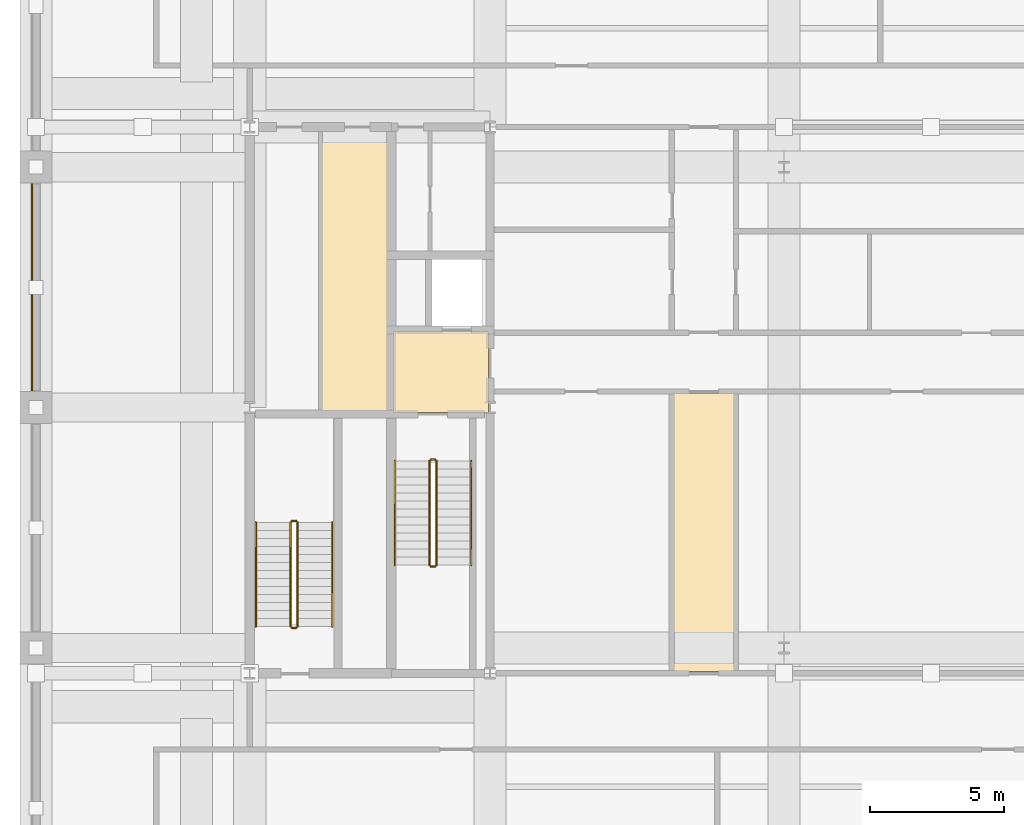
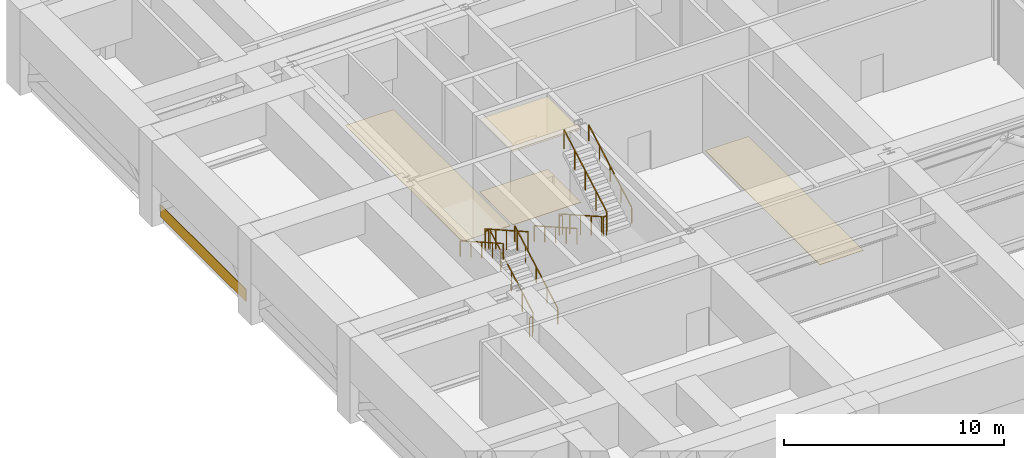
# One storey, part 8 of 10: 12 railings, 5 coverings.
"""IFC4 building model written with IfcOpenShell, lengths in metres."""

from ifc_helpers import new_model, si_unit, direction, frame, frame_2d, origin, origin_2d, place, context, subcontext, project, spatial, polyline, rectangle, outline, extrude, material, layer, layer_set, type_object, element, save


model = new_model("IFC4")

# Units and contexts
model_context = context("Model", 3, precision=1e-05, world=origin(), true_north=direction((0.0, 1.0)))
body_context = subcontext(model_context, "Body", "Model", "MODEL_VIEW")
ifc_project = project(units=[si_unit("LENGTHUNIT", "METRE"), si_unit("AREAUNIT", "SQUARE_METRE"), si_unit("VOLUMEUNIT", "CUBIC_METRE"), si_unit("PLANEANGLEUNIT", "RADIAN"), si_unit("MASSUNIT", "GRAM", prefix="KILO")], contexts=[model_context])

# Site, building, storey
site_placement = place(None, origin())
site = spatial("IfcSite", under=ifc_project, at=site_placement, CompositionType="ELEMENT")
building_placement = place(site_placement, origin())
building = spatial("IfcBuilding", under=site, at=building_placement, Name="Zulmaris Gate Convention Tower", CompositionType="ELEMENT")
storey_placement = place(building_placement, frame((0.0, 0.0, 153.47998046875)))
storey = spatial("IfcBuildingStorey", under=building, at=storey_placement, Name="L39", CompositionType="ELEMENT", Elevation=153.47998046875)

# Coverings
ifc_material_1 = material(Name="Precast concrete C40/50", Category="concrete")
ifc_layer_1 = layer(ifc_material_1, 0.0400390625, Name="Precast concrete C40/50")
ifc_layer_set_1 = layer_set([ifc_layer_1], Name="Precast concrete C40/50")
covering_type_1 = type_object("IfcCoveringType", Name="CLAD-SPANDREL-PRECAST", PredefinedType="CLADDING", material=ifc_layer_set_1)
covering_1_placement = place(storey_placement, frame((-28.14990234375, 8.3701171875, 0.0), z_axis=(0.0, 0.0, 1.0), x_axis=(0.0, -1.0, 0.0)))
element("IfcCovering", 1, at=covering_1_placement, inside=storey, type_object=covering_type_1, Name="CLD-L39-W-2_0", PredefinedType="CLADDING", context=body_context, shape_type="SweptSolid", body=[
    extrude(rectangle(XDim=7.740234375, YDim=0.0400390625, at=frame_2d((3.8701171875, 0.0))), origin(), (0.0, 0.0, 1.0), 0.679931640625),
])
ifc_material_2 = material(Name="Mineral Fibre Acoustic Ceiling Tile")
ifc_layer_2 = layer(ifc_material_2, 0.02001953125, Name="Mineral Fibre Acoustic Ceiling Tile")
ifc_layer_set_2 = layer_set([ifc_layer_2], Name="Mineral Fibre Acoustic Ceiling Tile")
covering_type_2 = type_object("IfcCoveringType", Name="CLG-ACOUSTIC-600", PredefinedType="CEILING", material=ifc_layer_set_2)
covering_2_placement = place(storey_placement, frame((0.0, 0.0, 4.0546875)))
element("IfcCovering", 2, at=covering_2_placement, inside=storey, type_object=covering_type_2, Name="CLG-L39-R03", PredefinedType="CEILING", context=body_context, shape_type="SweptSolid", body=[
    extrude(outline(polyline([(-14.639892578125, -0.18994140625), (-11.06005859375, -0.18994140625), (-11.06005859375, 2.840087890625), (-14.639892578125, 2.840087890625), (-14.639892578125, -0.18994140625)])), origin(), (0.0, 0.0, 1.0), 0.02001953125),
])
ifc_material_3 = material(Name="Woven Acoustic Wool Carpet Tile")
ifc_layer_3 = layer(ifc_material_3, 0.02001953125, Name="Woven Acoustic Wool Carpet Tile")
ifc_layer_set_3 = layer_set([ifc_layer_3], Name="Woven Acoustic Wool Carpet Tile")
covering_type_3 = type_object("IfcCoveringType", Name="FLR-CARPET-12", PredefinedType="FLOORING", material=ifc_layer_set_3)
covering_3_placement = place(storey_placement, origin())
element("IfcCovering", 3, at=covering_3_placement, inside=storey, type_object=covering_type_3, Name="FLR-L39-R03", PredefinedType="FLOORING", context=body_context, shape_type="SweptSolid", body=[
    extrude(outline(polyline([(-14.639892578125, -0.18994140625), (-11.06005859375, -0.18994140625), (-11.06005859375, 2.840087890625), (-14.639892578125, 2.840087890625), (-14.639892578125, -0.18994140625)])), origin(), (0.0, 0.0, 1.0), 0.02001953125),
])
covering_4_placement = place(storey_placement, origin())
element("IfcCovering", 4, at=covering_4_placement, inside=storey, type_object=covering_type_3, Name="FLR-L39-R17", PredefinedType="FLOORING", context=body_context, shape_type="SweptSolid", body=[
    extrude(outline(polyline([(-17.2900390625, -0.18994140625), (-14.760009765625, -0.18994140625), (-14.760009765625, 10.43994140625), (-17.2900390625, 10.43994140625), (-17.2900390625, -0.18994140625)])), origin(), (0.0, 0.0, 1.0), 0.02001953125),
])
covering_5_placement = place(storey_placement, origin())
element("IfcCovering", 5, at=covering_5_placement, inside=storey, type_object=covering_type_3, Name="FLR-L39-R24", PredefinedType="FLOORING", context=body_context, shape_type="SweptSolid", body=[
    extrude(outline(polyline([(-4.139892578125, -9.889892578125), (-1.860107421875, -9.889892578125), (-1.860107421875, 0.5400390625), (-4.139892578125, 0.5400390625), (-4.139892578125, -9.889892578125)])), origin(), (0.0, 0.0, 1.0), 0.02001953125),
])

# Railings
ifc_material_4 = material(Name="Painted Galvanised Steel", Category="steel")
railing_type_1 = type_object("IfcRailingType", Name="RL-STG-1150", PredefinedType="GUARDRAIL", material=ifc_material_4)
railing_1_placement = place(storey_placement, frame((-13.27001953125, -2.0, 0.169921875)))
element("IfcRailing", 6, at=railing_1_placement, inside=storey, type_object=railing_type_1, Name="L39 ST-1 stair guard 1", PredefinedType="GUARDRAIL", context=body_context, shape_type="SweptSolid", body=[
    extrude(rectangle(XDim=0.048095703125, YDim=0.048095703125, at=origin_2d()), frame((0.0, 0.0, 1.076171875), z_axis=(0.0, -0.870020628399, 0.493015320412), x_axis=(1.0, 0.0, 0.0)), (0.0, 0.0, 1.0), 4.482421875),
    extrude(rectangle(XDim=0.0419921875, YDim=0.0419921875, at=origin_2d()), origin(), (0.0, 0.0, 1.0), 1.052001953125),
    extrude(rectangle(XDim=0.0419921875, YDim=0.0419921875, at=origin_2d()), frame((0.0, -0.97509765625, 0.552490234375)), (0.0, 0.0, 1.0), 1.052001953125),
    extrude(rectangle(XDim=0.0419921875, YDim=0.0419921875, at=origin_2d()), frame((0.0, -1.949951171875, 1.10498046875)), (0.0, 0.0, 1.0), 1.052001953125),
    extrude(rectangle(XDim=0.0419921875, YDim=0.0419921875, at=origin_2d()), frame((0.0, -2.9248046875, 1.657470703125)), (0.0, 0.0, 1.0), 1.052001953125),
    extrude(rectangle(XDim=0.0419921875, YDim=0.0419921875, at=origin_2d()), frame((0.0, -3.89990234375, 2.2099609375)), (0.0, 0.0, 1.0), 1.052001953125),
])
railing_2_placement = place(storey_placement, frame((-13.219970703125, -5.949951171875, 2.3798828125)))
element("IfcRailing", 7, at=railing_2_placement, inside=storey, type_object=railing_type_1, Name="L39 ST-1 stair guard 2", PredefinedType="GUARDRAIL", context=body_context, shape_type="SweptSolid", body=[
    extrude(rectangle(XDim=0.048095703125, YDim=0.048095703125, at=origin_2d()), frame((0.0, 0.0, 1.076171875), z_axis=(1.0, 0.0, 0.0), x_axis=(0.0, 1.0, 0.0)), (0.0, 0.0, 1.0), 0.159912109375),
    extrude(rectangle(XDim=0.0419921875, YDim=0.0419921875, at=origin_2d()), origin(), (0.0, 0.0, 1.0), 1.052001953125),
    extrude(rectangle(XDim=0.0419921875, YDim=0.0419921875, at=origin_2d()), frame((0.159912109375, 0.0, 0.0)), (0.0, 0.0, 1.0), 1.052001953125),
])
railing_3_placement = place(storey_placement, frame((-13.010009765625, -5.89990234375, 2.5498046875)))
element("IfcRailing", 8, at=railing_3_placement, inside=storey, type_object=railing_type_1, Name="L39 ST-1 stair guard 3", PredefinedType="GUARDRAIL", context=body_context, shape_type="SweptSolid", body=[
    extrude(rectangle(XDim=0.048095703125, YDim=0.048095703125, at=origin_2d()), frame((0.0, 0.0, 1.076171875), z_axis=(0.0, 0.870020628399, 0.493015320412), x_axis=(-1.0, 0.0, 0.0)), (0.0, 0.0, 1.0), 4.482421875),
    extrude(rectangle(XDim=0.0419921875, YDim=0.0419921875, at=origin_2d()), origin(), (0.0, 0.0, 1.0), 1.052001953125),
    extrude(rectangle(XDim=0.0419921875, YDim=0.0419921875, at=origin_2d()), frame((0.0, 0.97509765625, 0.552490234375)), (0.0, 0.0, 1.0), 1.052001953125),
    extrude(rectangle(XDim=0.0419921875, YDim=0.0419921875, at=origin_2d()), frame((0.0, 1.949951171875, 1.10498046875)), (0.0, 0.0, 1.0), 1.052001953125),
    extrude(rectangle(XDim=0.0419921875, YDim=0.0419921875, at=origin_2d()), frame((0.0, 2.9248046875, 1.657470703125)), (0.0, 0.0, 1.0), 1.052001953125),
    extrude(rectangle(XDim=0.0419921875, YDim=0.0419921875, at=origin_2d()), frame((0.0, 3.89990234375, 2.2099609375)), (0.0, 0.0, 1.0), 1.052001953125),
])
railing_4_placement = place(storey_placement, frame((-13.219970703125, -1.949951171875, 0.0)))
element("IfcRailing", 9, at=railing_4_placement, inside=storey, type_object=railing_type_1, Name="L39 ST-1 stair guard 4", PredefinedType="GUARDRAIL", context=body_context, shape_type="SweptSolid", body=[
    extrude(rectangle(XDim=0.048095703125, YDim=0.048095703125, at=origin_2d()), frame((0.0, 0.0, 1.076171875), z_axis=(1.0, 0.0, 0.0), x_axis=(0.0, 1.0, 0.0)), (0.0, 0.0, 1.0), 0.159912109375),
    extrude(rectangle(XDim=0.0419921875, YDim=0.0419921875, at=origin_2d()), origin(), (0.0, 0.0, 1.0), 1.052001953125),
    extrude(rectangle(XDim=0.0419921875, YDim=0.0419921875, at=origin_2d()), frame((0.159912109375, 0.0, 0.0)), (0.0, 0.0, 1.0), 1.052001953125),
])
railing_5_placement = place(storey_placement, frame((-18.2099609375, -8.199951171875, 0.169921875)))
element("IfcRailing", 10, at=railing_5_placement, inside=storey, type_object=railing_type_1, Name="L39 ST-3 stair guard 1", PredefinedType="GUARDRAIL", context=body_context, shape_type="SweptSolid", body=[
    extrude(rectangle(XDim=0.048095703125, YDim=0.048095703125, at=origin_2d()), frame((0.0, 0.0, 1.076171875), z_axis=(0.0, 0.870020628399, 0.493015320412), x_axis=(-1.0, 0.0, 0.0)), (0.0, 0.0, 1.0), 4.482421875),
    extrude(rectangle(XDim=0.0419921875, YDim=0.0419921875, at=origin_2d()), origin(), (0.0, 0.0, 1.0), 1.052001953125),
    extrude(rectangle(XDim=0.0419921875, YDim=0.0419921875, at=origin_2d()), frame((0.0, 0.97509765625, 0.552490234375)), (0.0, 0.0, 1.0), 1.052001953125),
    extrude(rectangle(XDim=0.0419921875, YDim=0.0419921875, at=origin_2d()), frame((0.0, 1.949951171875, 1.10498046875)), (0.0, 0.0, 1.0), 1.052001953125),
    extrude(rectangle(XDim=0.0419921875, YDim=0.0419921875, at=origin_2d()), frame((0.0, 2.9248046875, 1.657470703125)), (0.0, 0.0, 1.0), 1.052001953125),
    extrude(rectangle(XDim=0.0419921875, YDim=0.0419921875, at=origin_2d()), frame((0.0, 3.89990234375, 2.2099609375)), (0.0, 0.0, 1.0), 1.052001953125),
])
railing_6_placement = place(storey_placement, frame((-18.260009765625, -4.25, 2.3798828125)))
element("IfcRailing", 11, at=railing_6_placement, inside=storey, type_object=railing_type_1, Name="L39 ST-3 stair guard 2", PredefinedType="GUARDRAIL", context=body_context, shape_type="SweptSolid", body=[
    extrude(rectangle(XDim=0.048095703125, YDim=0.048095703125, at=origin_2d()), frame((0.0, 0.0, 1.076171875), z_axis=(-1.0, 0.0, 0.0), x_axis=(0.0, -1.0, 0.0)), (0.0, 0.0, 1.0), 0.159912109375),
    extrude(rectangle(XDim=0.0419921875, YDim=0.0419921875, at=origin_2d()), origin(), (0.0, 0.0, 1.0), 1.052001953125),
    extrude(rectangle(XDim=0.0419921875, YDim=0.0419921875, at=origin_2d()), frame((-0.159912109375, 0.0, 0.0)), (0.0, 0.0, 1.0), 1.052001953125),
])
railing_7_placement = place(storey_placement, frame((-18.469970703125, -4.300048828125, 2.5498046875)))
element("IfcRailing", 12, at=railing_7_placement, inside=storey, type_object=railing_type_1, Name="L39 ST-3 stair guard 3", PredefinedType="GUARDRAIL", context=body_context, shape_type="SweptSolid", body=[
    extrude(rectangle(XDim=0.048095703125, YDim=0.048095703125, at=origin_2d()), frame((0.0, 0.0, 1.076171875), z_axis=(0.0, -0.870020628399, 0.493015320412), x_axis=(1.0, 0.0, 0.0)), (0.0, 0.0, 1.0), 4.482421875),
    extrude(rectangle(XDim=0.0419921875, YDim=0.0419921875, at=origin_2d()), origin(), (0.0, 0.0, 1.0), 1.052001953125),
    extrude(rectangle(XDim=0.0419921875, YDim=0.0419921875, at=origin_2d()), frame((0.0, -0.97509765625, 0.552490234375)), (0.0, 0.0, 1.0), 1.052001953125),
    extrude(rectangle(XDim=0.0419921875, YDim=0.0419921875, at=origin_2d()), frame((0.0, -1.949951171875, 1.10498046875)), (0.0, 0.0, 1.0), 1.052001953125),
    extrude(rectangle(XDim=0.0419921875, YDim=0.0419921875, at=origin_2d()), frame((0.0, -2.9248046875, 1.657470703125)), (0.0, 0.0, 1.0), 1.052001953125),
    extrude(rectangle(XDim=0.0419921875, YDim=0.0419921875, at=origin_2d()), frame((0.0, -3.89990234375, 2.2099609375)), (0.0, 0.0, 1.0), 1.052001953125),
])
railing_8_placement = place(storey_placement, frame((-18.260009765625, -8.25, 0.0)))
element("IfcRailing", 13, at=railing_8_placement, inside=storey, type_object=railing_type_1, Name="L39 ST-3 stair guard 4", PredefinedType="GUARDRAIL", context=body_context, shape_type="SweptSolid", body=[
    extrude(rectangle(XDim=0.048095703125, YDim=0.048095703125, at=origin_2d()), frame((0.0, 0.0, 1.076171875), z_axis=(-1.0, 0.0, 0.0), x_axis=(0.0, -1.0, 0.0)), (0.0, 0.0, 1.0), 0.159912109375),
    extrude(rectangle(XDim=0.0419921875, YDim=0.0419921875, at=origin_2d()), origin(), (0.0, 0.0, 1.0), 1.052001953125),
    extrude(rectangle(XDim=0.0419921875, YDim=0.0419921875, at=origin_2d()), frame((-0.159912109375, 0.0, 0.0)), (0.0, 0.0, 1.0), 1.052001953125),
])
ifc_material_5 = material(Name="Brushed Stainless Steel", Category="steel")
railing_type_2 = type_object("IfcRailingType", Name="RL-STH-900", PredefinedType="HANDRAIL", material=ifc_material_5)
railing_9_placement = place(storey_placement, frame((-14.570068359375, -2.0, 0.169921875)))
element("IfcRailing", 14, at=railing_9_placement, inside=storey, type_object=railing_type_2, Name="L39 ST-1 stair handrail 1", PredefinedType="HANDRAIL", context=body_context, shape_type="SweptSolid", body=[
    extrude(rectangle(XDim=0.048095703125, YDim=0.048095703125, at=origin_2d()), frame((0.0, 0.0, 0.8759765625), z_axis=(0.0, -0.870020628399, 0.493015320412), x_axis=(1.0, 0.0, 0.0)), (0.0, 0.0, 1.0), 4.482421875),
    extrude(rectangle(XDim=0.0419921875, YDim=0.0419921875, at=origin_2d()), origin(), (0.0, 0.0, 1.0), 0.851806640625),
    extrude(rectangle(XDim=0.0419921875, YDim=0.0419921875, at=origin_2d()), frame((0.0, -0.97509765625, 0.552490234375)), (0.0, 0.0, 1.0), 0.851806640625),
    extrude(rectangle(XDim=0.0419921875, YDim=0.0419921875, at=origin_2d()), frame((0.0, -1.949951171875, 1.10498046875)), (0.0, 0.0, 1.0), 0.851806640625),
    extrude(rectangle(XDim=0.0419921875, YDim=0.0419921875, at=origin_2d()), frame((0.0, -2.9248046875, 1.657470703125)), (0.0, 0.0, 1.0), 0.851806640625),
    extrude(rectangle(XDim=0.0419921875, YDim=0.0419921875, at=origin_2d()), frame((0.0, -3.89990234375, 2.2099609375)), (0.0, 0.0, 1.0), 0.851806640625),
])
for number, where, name in (
    (15, (-11.7099609375, -5.89990234375, 2.5498046875), "L39 ST-1 stair handrail 2"),
    (16, (-16.909912109375, -8.199951171875, 0.169921875), "L39 ST-3 stair handrail 1"),
):
    element("IfcRailing", number, at=place(storey_placement, frame(where)), inside=storey, type_object=railing_type_2, Name=name, PredefinedType="HANDRAIL", context=body_context, shape_type="SweptSolid", body=[
        extrude(rectangle(XDim=0.048095703125, YDim=0.048095703125, at=origin_2d()), frame((0.0, 0.0, 0.8759765625), z_axis=(0.0, 0.870020628399, 0.493015320412), x_axis=(-1.0, 0.0, 0.0)), (0.0, 0.0, 1.0), 4.482421875),
        extrude(rectangle(XDim=0.0419921875, YDim=0.0419921875, at=origin_2d()), origin(), (0.0, 0.0, 1.0), 0.851806640625),
        extrude(rectangle(XDim=0.0419921875, YDim=0.0419921875, at=origin_2d()), frame((0.0, 0.97509765625, 0.552490234375)), (0.0, 0.0, 1.0), 0.851806640625),
        extrude(rectangle(XDim=0.0419921875, YDim=0.0419921875, at=origin_2d()), frame((0.0, 1.949951171875, 1.10498046875)), (0.0, 0.0, 1.0), 0.851806640625),
        extrude(rectangle(XDim=0.0419921875, YDim=0.0419921875, at=origin_2d()), frame((0.0, 2.9248046875, 1.657470703125)), (0.0, 0.0, 1.0), 0.851806640625),
        extrude(rectangle(XDim=0.0419921875, YDim=0.0419921875, at=origin_2d()), frame((0.0, 3.89990234375, 2.2099609375)), (0.0, 0.0, 1.0), 0.851806640625),
    ])
railing_10_placement = place(storey_placement, frame((-19.77001953125, -4.300048828125, 2.5498046875)))
element("IfcRailing", 17, at=railing_10_placement, inside=storey, type_object=railing_type_2, Name="L39 ST-3 stair handrail 2", PredefinedType="HANDRAIL", context=body_context, shape_type="SweptSolid", body=[
    extrude(rectangle(XDim=0.048095703125, YDim=0.048095703125, at=origin_2d()), frame((0.0, 0.0, 0.8759765625), z_axis=(0.0, -0.870020628399, 0.493015320412), x_axis=(1.0, 0.0, 0.0)), (0.0, 0.0, 1.0), 4.482421875),
    extrude(rectangle(XDim=0.0419921875, YDim=0.0419921875, at=origin_2d()), origin(), (0.0, 0.0, 1.0), 0.851806640625),
    extrude(rectangle(XDim=0.0419921875, YDim=0.0419921875, at=origin_2d()), frame((0.0, -0.97509765625, 0.552490234375)), (0.0, 0.0, 1.0), 0.851806640625),
    extrude(rectangle(XDim=0.0419921875, YDim=0.0419921875, at=origin_2d()), frame((0.0, -1.949951171875, 1.10498046875)), (0.0, 0.0, 1.0), 0.851806640625),
    extrude(rectangle(XDim=0.0419921875, YDim=0.0419921875, at=origin_2d()), frame((0.0, -2.9248046875, 1.657470703125)), (0.0, 0.0, 1.0), 0.851806640625),
    extrude(rectangle(XDim=0.0419921875, YDim=0.0419921875, at=origin_2d()), frame((0.0, -3.89990234375, 2.2099609375)), (0.0, 0.0, 1.0), 0.851806640625),
])

save(model, "model.ifc")
